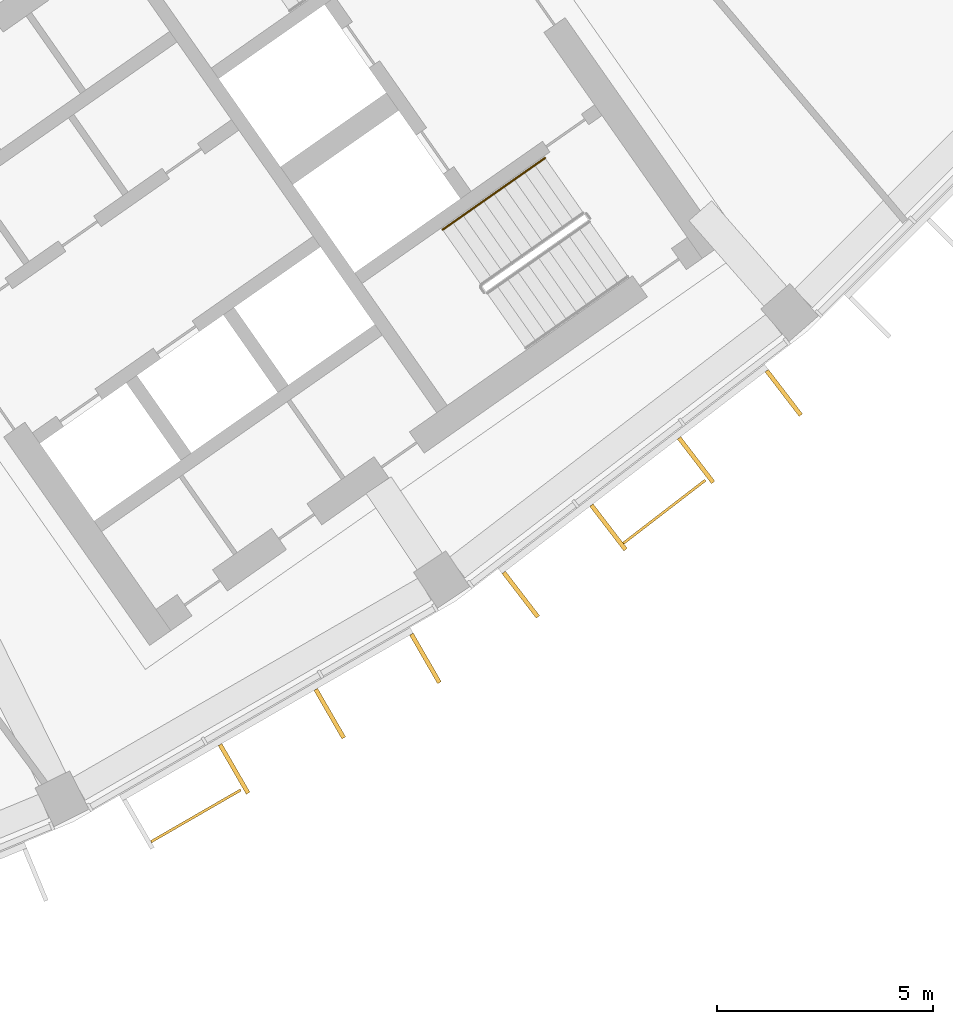
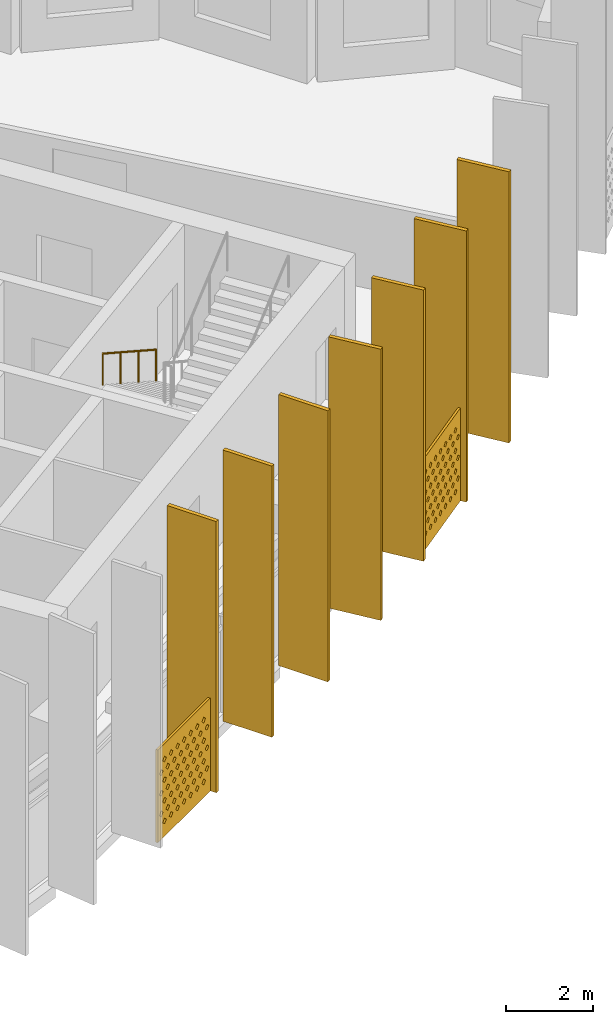
# One storey, part 27 of 28: 9 shading devices, 1 railing.
"""IFC4 building model written with IfcOpenShell, lengths in metres."""

from ifc_helpers import new_model, si_unit, direction, frame, origin, origin_2d, place, context, subcontext, project, spatial, polyline, rectangle, circle, outline, extrude, material, material_profile, profile_set, type_object, element, save


model = new_model("IFC4")

# Units and contexts
model_context = context("Model", 3, precision=1e-05, world=origin(), true_north=direction((0.0, 1.0)))
body_context = subcontext(model_context, "Body", "Model", "MODEL_VIEW")
ifc_project = project(units=[si_unit("LENGTHUNIT", "METRE"), si_unit("AREAUNIT", "SQUARE_METRE"), si_unit("VOLUMEUNIT", "CUBIC_METRE"), si_unit("PLANEANGLEUNIT", "RADIAN"), si_unit("MASSUNIT", "GRAM", prefix="KILO")], contexts=[model_context])

# Site, building, storey
site_placement = place(None, origin())
site = spatial("IfcSite", under=ifc_project, at=site_placement, CompositionType="ELEMENT")
building_placement = place(site_placement, origin())
building = spatial("IfcBuilding", under=site, at=building_placement, Name="Qamariyya Broadcast Tower", CompositionType="ELEMENT")
storey_placement = place(building_placement, frame((0.0, 0.0, 265.699951171875)))
storey = spatial("IfcBuildingStorey", under=building, at=storey_placement, Name="L64", CompositionType="ELEMENT", Elevation=265.699951171875)

# Shading devices
ifc_material_1 = material(Name="Perforated glazed terracotta", Category="masonry")
ifc_material_profile_1 = material_profile(ifc_material_1, outline(polyline([(-1.199951171875, -1.300048828125), (1.199951171875, -1.300048828125), (1.199951171875, 1.300048828125), (-1.199951171875, 1.300048828125), (-1.199951171875, -1.300048828125)]), holes=[polyline([(-0.81494140625, -0.86669921875), (-0.89990234375, -0.78173828125), (-0.985107421875, -0.86669921875), (-0.89990234375, -0.95166015625), (-0.81494140625, -0.86669921875)]), polyline([(-0.514892578125, -0.86669921875), (-0.60009765625, -0.78173828125), (-0.68505859375, -0.86669921875), (-0.60009765625, -0.95166015625), (-0.514892578125, -0.86669921875)]), polyline([(-0.215087890625, -0.86669921875), (-0.300048828125, -0.78173828125), (-0.385009765625, -0.86669921875), (-0.300048828125, -0.95166015625), (-0.215087890625, -0.86669921875)]), polyline([(0.0849609375, -0.86669921875), (0.0, -0.78173828125), (-0.0849609375, -0.86669921875), (0.0, -0.95166015625), (0.0849609375, -0.86669921875)]), polyline([(0.385009765625, -0.86669921875), (0.300048828125, -0.78173828125), (0.215087890625, -0.86669921875), (0.300048828125, -0.95166015625), (0.385009765625, -0.86669921875)]), polyline([(0.68505859375, -0.86669921875), (0.60009765625, -0.78173828125), (0.514892578125, -0.86669921875), (0.60009765625, -0.95166015625), (0.68505859375, -0.86669921875)]), polyline([(0.985107421875, -0.86669921875), (0.89990234375, -0.78173828125), (0.81494140625, -0.86669921875), (0.89990234375, -0.95166015625), (0.985107421875, -0.86669921875)]), polyline([(-0.965087890625, -0.577880859375), (-1.050048828125, -0.49267578125), (-1.135009765625, -0.577880859375), (-1.050048828125, -0.662841796875), (-0.965087890625, -0.577880859375)]), polyline([(-0.6650390625, -0.577880859375), (-0.75, -0.49267578125), (-0.8349609375, -0.577880859375), (-0.75, -0.662841796875), (-0.6650390625, -0.577880859375)]), polyline([(-0.364990234375, -0.577880859375), (-0.449951171875, -0.49267578125), (-0.534912109375, -0.577880859375), (-0.449951171875, -0.662841796875), (-0.364990234375, -0.577880859375)]), polyline([(-0.06494140625, -0.577880859375), (-0.14990234375, -0.49267578125), (-0.235107421875, -0.577880859375), (-0.14990234375, -0.662841796875), (-0.06494140625, -0.577880859375)]), polyline([(0.235107421875, -0.577880859375), (0.14990234375, -0.49267578125), (0.06494140625, -0.577880859375), (0.14990234375, -0.662841796875), (0.235107421875, -0.577880859375)]), polyline([(0.534912109375, -0.577880859375), (0.449951171875, -0.49267578125), (0.364990234375, -0.577880859375), (0.449951171875, -0.662841796875), (0.534912109375, -0.577880859375)]), polyline([(0.8349609375, -0.577880859375), (0.75, -0.49267578125), (0.6650390625, -0.577880859375), (0.75, -0.662841796875), (0.8349609375, -0.577880859375)]), polyline([(1.135009765625, -0.577880859375), (1.050048828125, -0.49267578125), (0.965087890625, -0.577880859375), (1.050048828125, -0.662841796875), (1.135009765625, -0.577880859375)]), polyline([(-0.81494140625, -0.288818359375), (-0.89990234375, -0.203857421875), (-0.985107421875, -0.288818359375), (-0.89990234375, -0.373779296875), (-0.81494140625, -0.288818359375)]), polyline([(-0.514892578125, -0.288818359375), (-0.60009765625, -0.203857421875), (-0.68505859375, -0.288818359375), (-0.60009765625, -0.373779296875), (-0.514892578125, -0.288818359375)]), polyline([(-0.215087890625, -0.288818359375), (-0.300048828125, -0.203857421875), (-0.385009765625, -0.288818359375), (-0.300048828125, -0.373779296875), (-0.215087890625, -0.288818359375)]), polyline([(0.0849609375, -0.288818359375), (0.0, -0.203857421875), (-0.0849609375, -0.288818359375), (0.0, -0.373779296875), (0.0849609375, -0.288818359375)]), polyline([(0.385009765625, -0.288818359375), (0.300048828125, -0.203857421875), (0.215087890625, -0.288818359375), (0.300048828125, -0.373779296875), (0.385009765625, -0.288818359375)]), polyline([(0.68505859375, -0.288818359375), (0.60009765625, -0.203857421875), (0.514892578125, -0.288818359375), (0.60009765625, -0.373779296875), (0.68505859375, -0.288818359375)]), polyline([(0.985107421875, -0.288818359375), (0.89990234375, -0.203857421875), (0.81494140625, -0.288818359375), (0.89990234375, -0.373779296875), (0.985107421875, -0.288818359375)]), polyline([(-0.965087890625, 0.0), (-1.050048828125, 0.0849609375), (-1.135009765625, 0.0), (-1.050048828125, -0.0849609375), (-0.965087890625, 0.0)]), polyline([(-0.6650390625, 0.0), (-0.75, 0.0849609375), (-0.8349609375, 0.0), (-0.75, -0.0849609375), (-0.6650390625, 0.0)]), polyline([(-0.364990234375, 0.0), (-0.449951171875, 0.0849609375), (-0.534912109375, 0.0), (-0.449951171875, -0.0849609375), (-0.364990234375, 0.0)]), polyline([(-0.06494140625, 0.0), (-0.14990234375, 0.0849609375), (-0.235107421875, 0.0), (-0.14990234375, -0.0849609375), (-0.06494140625, 0.0)]), polyline([(0.235107421875, 0.0), (0.14990234375, 0.0849609375), (0.06494140625, 0.0), (0.14990234375, -0.0849609375), (0.235107421875, 0.0)]), polyline([(0.534912109375, 0.0), (0.449951171875, 0.0849609375), (0.364990234375, 0.0), (0.449951171875, -0.0849609375), (0.534912109375, 0.0)]), polyline([(0.8349609375, 0.0), (0.75, 0.0849609375), (0.6650390625, 0.0), (0.75, -0.0849609375), (0.8349609375, 0.0)]), polyline([(1.135009765625, 0.0), (1.050048828125, 0.0849609375), (0.965087890625, 0.0), (1.050048828125, -0.0849609375), (1.135009765625, 0.0)]), polyline([(-0.81494140625, 0.288818359375), (-0.89990234375, 0.373779296875), (-0.985107421875, 0.288818359375), (-0.89990234375, 0.203857421875), (-0.81494140625, 0.288818359375)]), polyline([(-0.514892578125, 0.288818359375), (-0.60009765625, 0.373779296875), (-0.68505859375, 0.288818359375), (-0.60009765625, 0.203857421875), (-0.514892578125, 0.288818359375)]), polyline([(-0.215087890625, 0.288818359375), (-0.300048828125, 0.373779296875), (-0.385009765625, 0.288818359375), (-0.300048828125, 0.203857421875), (-0.215087890625, 0.288818359375)]), polyline([(0.0849609375, 0.288818359375), (0.0, 0.373779296875), (-0.0849609375, 0.288818359375), (0.0, 0.203857421875), (0.0849609375, 0.288818359375)]), polyline([(0.385009765625, 0.288818359375), (0.300048828125, 0.373779296875), (0.215087890625, 0.288818359375), (0.300048828125, 0.203857421875), (0.385009765625, 0.288818359375)]), polyline([(0.68505859375, 0.288818359375), (0.60009765625, 0.373779296875), (0.514892578125, 0.288818359375), (0.60009765625, 0.203857421875), (0.68505859375, 0.288818359375)]), polyline([(0.985107421875, 0.288818359375), (0.89990234375, 0.373779296875), (0.81494140625, 0.288818359375), (0.89990234375, 0.203857421875), (0.985107421875, 0.288818359375)]), polyline([(-0.965087890625, 0.577880859375), (-1.050048828125, 0.662841796875), (-1.135009765625, 0.577880859375), (-1.050048828125, 0.49267578125), (-0.965087890625, 0.577880859375)]), polyline([(-0.6650390625, 0.577880859375), (-0.75, 0.662841796875), (-0.8349609375, 0.577880859375), (-0.75, 0.49267578125), (-0.6650390625, 0.577880859375)]), polyline([(-0.364990234375, 0.577880859375), (-0.449951171875, 0.662841796875), (-0.534912109375, 0.577880859375), (-0.449951171875, 0.49267578125), (-0.364990234375, 0.577880859375)]), polyline([(-0.06494140625, 0.577880859375), (-0.14990234375, 0.662841796875), (-0.235107421875, 0.577880859375), (-0.14990234375, 0.49267578125), (-0.06494140625, 0.577880859375)]), polyline([(0.235107421875, 0.577880859375), (0.14990234375, 0.662841796875), (0.06494140625, 0.577880859375), (0.14990234375, 0.49267578125), (0.235107421875, 0.577880859375)]), polyline([(0.534912109375, 0.577880859375), (0.449951171875, 0.662841796875), (0.364990234375, 0.577880859375), (0.449951171875, 0.49267578125), (0.534912109375, 0.577880859375)]), polyline([(0.8349609375, 0.577880859375), (0.75, 0.662841796875), (0.6650390625, 0.577880859375), (0.75, 0.49267578125), (0.8349609375, 0.577880859375)]), polyline([(1.135009765625, 0.577880859375), (1.050048828125, 0.662841796875), (0.965087890625, 0.577880859375), (1.050048828125, 0.49267578125), (1.135009765625, 0.577880859375)]), polyline([(-0.81494140625, 0.86669921875), (-0.89990234375, 0.95166015625), (-0.985107421875, 0.86669921875), (-0.89990234375, 0.78173828125), (-0.81494140625, 0.86669921875)]), polyline([(-0.514892578125, 0.86669921875), (-0.60009765625, 0.95166015625), (-0.68505859375, 0.86669921875), (-0.60009765625, 0.78173828125), (-0.514892578125, 0.86669921875)]), polyline([(-0.215087890625, 0.86669921875), (-0.300048828125, 0.95166015625), (-0.385009765625, 0.86669921875), (-0.300048828125, 0.78173828125), (-0.215087890625, 0.86669921875)]), polyline([(0.0849609375, 0.86669921875), (0.0, 0.95166015625), (-0.0849609375, 0.86669921875), (0.0, 0.78173828125), (0.0849609375, 0.86669921875)]), polyline([(0.385009765625, 0.86669921875), (0.300048828125, 0.95166015625), (0.215087890625, 0.86669921875), (0.300048828125, 0.78173828125), (0.385009765625, 0.86669921875)]), polyline([(0.68505859375, 0.86669921875), (0.60009765625, 0.95166015625), (0.514892578125, 0.86669921875), (0.60009765625, 0.78173828125), (0.68505859375, 0.86669921875)]), polyline([(0.985107421875, 0.86669921875), (0.89990234375, 0.95166015625), (0.81494140625, 0.86669921875), (0.89990234375, 0.78173828125), (0.985107421875, 0.86669921875)])]))
ifc_profile_set_1 = profile_set([ifc_material_profile_1], Name="Perforated glazed terracotta")
shading_device_type_1 = type_object("IfcShadingDeviceType", Name="Perforated terracotta screen 2400 x 2600", PredefinedType="USERDEFINED", material=ifc_profile_set_1)
shading_device_1_placement = place(storey_placement, frame((37.480224609375, -70.104248046875, 1.35009765625), z_axis=(0.500074377092, -0.865982457891, 0.0), x_axis=(0.865982457891, 0.500074377092, 0.0)))
element("IfcShadingDevice", 1, at=shading_device_1_placement, inside=storey, type_object=shading_device_type_1, Name="e-scr-L64-11-0", ObjectType="SCREEN", PredefinedType="USERDEFINED", context=body_context, shape_type="SweptSolid", body=[
    extrude(outline(polyline([(-1.199951171875, -1.300048828125), (1.199951171875, -1.300048828125), (1.199951171875, 1.300048828125), (-1.199951171875, 1.300048828125), (-1.199951171875, -1.300048828125)]), holes=[polyline([(-0.81494140625, -0.86669921875), (-0.89990234375, -0.78173828125), (-0.985107421875, -0.86669921875), (-0.89990234375, -0.95166015625), (-0.81494140625, -0.86669921875)]), polyline([(-0.514892578125, -0.86669921875), (-0.60009765625, -0.78173828125), (-0.68505859375, -0.86669921875), (-0.60009765625, -0.95166015625), (-0.514892578125, -0.86669921875)]), polyline([(-0.215087890625, -0.86669921875), (-0.300048828125, -0.78173828125), (-0.385009765625, -0.86669921875), (-0.300048828125, -0.95166015625), (-0.215087890625, -0.86669921875)]), polyline([(0.0849609375, -0.86669921875), (0.0, -0.78173828125), (-0.0849609375, -0.86669921875), (0.0, -0.95166015625), (0.0849609375, -0.86669921875)]), polyline([(0.385009765625, -0.86669921875), (0.300048828125, -0.78173828125), (0.215087890625, -0.86669921875), (0.300048828125, -0.95166015625), (0.385009765625, -0.86669921875)]), polyline([(0.68505859375, -0.86669921875), (0.60009765625, -0.78173828125), (0.514892578125, -0.86669921875), (0.60009765625, -0.95166015625), (0.68505859375, -0.86669921875)]), polyline([(0.985107421875, -0.86669921875), (0.89990234375, -0.78173828125), (0.81494140625, -0.86669921875), (0.89990234375, -0.95166015625), (0.985107421875, -0.86669921875)]), polyline([(-0.965087890625, -0.577880859375), (-1.050048828125, -0.49267578125), (-1.135009765625, -0.577880859375), (-1.050048828125, -0.662841796875), (-0.965087890625, -0.577880859375)]), polyline([(-0.6650390625, -0.577880859375), (-0.75, -0.49267578125), (-0.8349609375, -0.577880859375), (-0.75, -0.662841796875), (-0.6650390625, -0.577880859375)]), polyline([(-0.364990234375, -0.577880859375), (-0.449951171875, -0.49267578125), (-0.534912109375, -0.577880859375), (-0.449951171875, -0.662841796875), (-0.364990234375, -0.577880859375)]), polyline([(-0.06494140625, -0.577880859375), (-0.14990234375, -0.49267578125), (-0.235107421875, -0.577880859375), (-0.14990234375, -0.662841796875), (-0.06494140625, -0.577880859375)]), polyline([(0.235107421875, -0.577880859375), (0.14990234375, -0.49267578125), (0.06494140625, -0.577880859375), (0.14990234375, -0.662841796875), (0.235107421875, -0.577880859375)]), polyline([(0.534912109375, -0.577880859375), (0.449951171875, -0.49267578125), (0.364990234375, -0.577880859375), (0.449951171875, -0.662841796875), (0.534912109375, -0.577880859375)]), polyline([(0.8349609375, -0.577880859375), (0.75, -0.49267578125), (0.6650390625, -0.577880859375), (0.75, -0.662841796875), (0.8349609375, -0.577880859375)]), polyline([(1.135009765625, -0.577880859375), (1.050048828125, -0.49267578125), (0.965087890625, -0.577880859375), (1.050048828125, -0.662841796875), (1.135009765625, -0.577880859375)]), polyline([(-0.81494140625, -0.288818359375), (-0.89990234375, -0.203857421875), (-0.985107421875, -0.288818359375), (-0.89990234375, -0.373779296875), (-0.81494140625, -0.288818359375)]), polyline([(-0.514892578125, -0.288818359375), (-0.60009765625, -0.203857421875), (-0.68505859375, -0.288818359375), (-0.60009765625, -0.373779296875), (-0.514892578125, -0.288818359375)]), polyline([(-0.215087890625, -0.288818359375), (-0.300048828125, -0.203857421875), (-0.385009765625, -0.288818359375), (-0.300048828125, -0.373779296875), (-0.215087890625, -0.288818359375)]), polyline([(0.0849609375, -0.288818359375), (0.0, -0.203857421875), (-0.0849609375, -0.288818359375), (0.0, -0.373779296875), (0.0849609375, -0.288818359375)]), polyline([(0.385009765625, -0.288818359375), (0.300048828125, -0.203857421875), (0.215087890625, -0.288818359375), (0.300048828125, -0.373779296875), (0.385009765625, -0.288818359375)]), polyline([(0.68505859375, -0.288818359375), (0.60009765625, -0.203857421875), (0.514892578125, -0.288818359375), (0.60009765625, -0.373779296875), (0.68505859375, -0.288818359375)]), polyline([(0.985107421875, -0.288818359375), (0.89990234375, -0.203857421875), (0.81494140625, -0.288818359375), (0.89990234375, -0.373779296875), (0.985107421875, -0.288818359375)]), polyline([(-0.965087890625, 0.0), (-1.050048828125, 0.0849609375), (-1.135009765625, 0.0), (-1.050048828125, -0.0849609375), (-0.965087890625, 0.0)]), polyline([(-0.6650390625, 0.0), (-0.75, 0.0849609375), (-0.8349609375, 0.0), (-0.75, -0.0849609375), (-0.6650390625, 0.0)]), polyline([(-0.364990234375, 0.0), (-0.449951171875, 0.0849609375), (-0.534912109375, 0.0), (-0.449951171875, -0.0849609375), (-0.364990234375, 0.0)]), polyline([(-0.06494140625, 0.0), (-0.14990234375, 0.0849609375), (-0.235107421875, 0.0), (-0.14990234375, -0.0849609375), (-0.06494140625, 0.0)]), polyline([(0.235107421875, 0.0), (0.14990234375, 0.0849609375), (0.06494140625, 0.0), (0.14990234375, -0.0849609375), (0.235107421875, 0.0)]), polyline([(0.534912109375, 0.0), (0.449951171875, 0.0849609375), (0.364990234375, 0.0), (0.449951171875, -0.0849609375), (0.534912109375, 0.0)]), polyline([(0.8349609375, 0.0), (0.75, 0.0849609375), (0.6650390625, 0.0), (0.75, -0.0849609375), (0.8349609375, 0.0)]), polyline([(1.135009765625, 0.0), (1.050048828125, 0.0849609375), (0.965087890625, 0.0), (1.050048828125, -0.0849609375), (1.135009765625, 0.0)]), polyline([(-0.81494140625, 0.288818359375), (-0.89990234375, 0.373779296875), (-0.985107421875, 0.288818359375), (-0.89990234375, 0.203857421875), (-0.81494140625, 0.288818359375)]), polyline([(-0.514892578125, 0.288818359375), (-0.60009765625, 0.373779296875), (-0.68505859375, 0.288818359375), (-0.60009765625, 0.203857421875), (-0.514892578125, 0.288818359375)]), polyline([(-0.215087890625, 0.288818359375), (-0.300048828125, 0.373779296875), (-0.385009765625, 0.288818359375), (-0.300048828125, 0.203857421875), (-0.215087890625, 0.288818359375)]), polyline([(0.0849609375, 0.288818359375), (0.0, 0.373779296875), (-0.0849609375, 0.288818359375), (0.0, 0.203857421875), (0.0849609375, 0.288818359375)]), polyline([(0.385009765625, 0.288818359375), (0.300048828125, 0.373779296875), (0.215087890625, 0.288818359375), (0.300048828125, 0.203857421875), (0.385009765625, 0.288818359375)]), polyline([(0.68505859375, 0.288818359375), (0.60009765625, 0.373779296875), (0.514892578125, 0.288818359375), (0.60009765625, 0.203857421875), (0.68505859375, 0.288818359375)]), polyline([(0.985107421875, 0.288818359375), (0.89990234375, 0.373779296875), (0.81494140625, 0.288818359375), (0.89990234375, 0.203857421875), (0.985107421875, 0.288818359375)]), polyline([(-0.965087890625, 0.577880859375), (-1.050048828125, 0.662841796875), (-1.135009765625, 0.577880859375), (-1.050048828125, 0.49267578125), (-0.965087890625, 0.577880859375)]), polyline([(-0.6650390625, 0.577880859375), (-0.75, 0.662841796875), (-0.8349609375, 0.577880859375), (-0.75, 0.49267578125), (-0.6650390625, 0.577880859375)]), polyline([(-0.364990234375, 0.577880859375), (-0.449951171875, 0.662841796875), (-0.534912109375, 0.577880859375), (-0.449951171875, 0.49267578125), (-0.364990234375, 0.577880859375)]), polyline([(-0.06494140625, 0.577880859375), (-0.14990234375, 0.662841796875), (-0.235107421875, 0.577880859375), (-0.14990234375, 0.49267578125), (-0.06494140625, 0.577880859375)]), polyline([(0.235107421875, 0.577880859375), (0.14990234375, 0.662841796875), (0.06494140625, 0.577880859375), (0.14990234375, 0.49267578125), (0.235107421875, 0.577880859375)]), polyline([(0.534912109375, 0.577880859375), (0.449951171875, 0.662841796875), (0.364990234375, 0.577880859375), (0.449951171875, 0.49267578125), (0.534912109375, 0.577880859375)]), polyline([(0.8349609375, 0.577880859375), (0.75, 0.662841796875), (0.6650390625, 0.577880859375), (0.75, 0.49267578125), (0.8349609375, 0.577880859375)]), polyline([(1.135009765625, 0.577880859375), (1.050048828125, 0.662841796875), (0.965087890625, 0.577880859375), (1.050048828125, 0.49267578125), (1.135009765625, 0.577880859375)]), polyline([(-0.81494140625, 0.86669921875), (-0.89990234375, 0.95166015625), (-0.985107421875, 0.86669921875), (-0.89990234375, 0.78173828125), (-0.81494140625, 0.86669921875)]), polyline([(-0.514892578125, 0.86669921875), (-0.60009765625, 0.95166015625), (-0.68505859375, 0.86669921875), (-0.60009765625, 0.78173828125), (-0.514892578125, 0.86669921875)]), polyline([(-0.215087890625, 0.86669921875), (-0.300048828125, 0.95166015625), (-0.385009765625, 0.86669921875), (-0.300048828125, 0.78173828125), (-0.215087890625, 0.86669921875)]), polyline([(0.0849609375, 0.86669921875), (0.0, 0.95166015625), (-0.0849609375, 0.86669921875), (0.0, 0.78173828125), (0.0849609375, 0.86669921875)]), polyline([(0.385009765625, 0.86669921875), (0.300048828125, 0.95166015625), (0.215087890625, 0.86669921875), (0.300048828125, 0.78173828125), (0.385009765625, 0.86669921875)]), polyline([(0.68505859375, 0.86669921875), (0.60009765625, 0.95166015625), (0.514892578125, 0.86669921875), (0.60009765625, 0.78173828125), (0.68505859375, 0.86669921875)]), polyline([(0.985107421875, 0.86669921875), (0.89990234375, 0.95166015625), (0.81494140625, 0.86669921875), (0.89990234375, 0.78173828125), (0.985107421875, 0.86669921875)])]), origin(), (0.0, 0.0, 1.0), 0.06005859375),
])
shading_device_2_placement = place(storey_placement, frame((48.3427734375, -63.052734375, 1.35009765625), z_axis=(0.60971076085, -0.792623989105, 0.0), x_axis=(0.792623989105, 0.60971076085, 0.0)))
element("IfcShadingDevice", 2, at=shading_device_2_placement, inside=storey, type_object=shading_device_type_1, Name="e-scr-L64-12-1", ObjectType="SCREEN", PredefinedType="USERDEFINED", context=body_context, shape_type="SweptSolid", body=[
    extrude(outline(polyline([(-1.199951171875, -1.300048828125), (1.199951171875, -1.300048828125), (1.199951171875, 1.300048828125), (-1.199951171875, 1.300048828125), (-1.199951171875, -1.300048828125)]), holes=[polyline([(-0.81494140625, -0.86669921875), (-0.89990234375, -0.78173828125), (-0.985107421875, -0.86669921875), (-0.89990234375, -0.95166015625), (-0.81494140625, -0.86669921875)]), polyline([(-0.514892578125, -0.86669921875), (-0.60009765625, -0.78173828125), (-0.68505859375, -0.86669921875), (-0.60009765625, -0.95166015625), (-0.514892578125, -0.86669921875)]), polyline([(-0.215087890625, -0.86669921875), (-0.300048828125, -0.78173828125), (-0.385009765625, -0.86669921875), (-0.300048828125, -0.95166015625), (-0.215087890625, -0.86669921875)]), polyline([(0.0849609375, -0.86669921875), (0.0, -0.78173828125), (-0.0849609375, -0.86669921875), (0.0, -0.95166015625), (0.0849609375, -0.86669921875)]), polyline([(0.385009765625, -0.86669921875), (0.300048828125, -0.78173828125), (0.215087890625, -0.86669921875), (0.300048828125, -0.95166015625), (0.385009765625, -0.86669921875)]), polyline([(0.68505859375, -0.86669921875), (0.60009765625, -0.78173828125), (0.514892578125, -0.86669921875), (0.60009765625, -0.95166015625), (0.68505859375, -0.86669921875)]), polyline([(0.985107421875, -0.86669921875), (0.89990234375, -0.78173828125), (0.81494140625, -0.86669921875), (0.89990234375, -0.95166015625), (0.985107421875, -0.86669921875)]), polyline([(-0.965087890625, -0.577880859375), (-1.050048828125, -0.49267578125), (-1.135009765625, -0.577880859375), (-1.050048828125, -0.662841796875), (-0.965087890625, -0.577880859375)]), polyline([(-0.6650390625, -0.577880859375), (-0.75, -0.49267578125), (-0.8349609375, -0.577880859375), (-0.75, -0.662841796875), (-0.6650390625, -0.577880859375)]), polyline([(-0.364990234375, -0.577880859375), (-0.449951171875, -0.49267578125), (-0.534912109375, -0.577880859375), (-0.449951171875, -0.662841796875), (-0.364990234375, -0.577880859375)]), polyline([(-0.06494140625, -0.577880859375), (-0.14990234375, -0.49267578125), (-0.235107421875, -0.577880859375), (-0.14990234375, -0.662841796875), (-0.06494140625, -0.577880859375)]), polyline([(0.235107421875, -0.577880859375), (0.14990234375, -0.49267578125), (0.06494140625, -0.577880859375), (0.14990234375, -0.662841796875), (0.235107421875, -0.577880859375)]), polyline([(0.534912109375, -0.577880859375), (0.449951171875, -0.49267578125), (0.364990234375, -0.577880859375), (0.449951171875, -0.662841796875), (0.534912109375, -0.577880859375)]), polyline([(0.8349609375, -0.577880859375), (0.75, -0.49267578125), (0.6650390625, -0.577880859375), (0.75, -0.662841796875), (0.8349609375, -0.577880859375)]), polyline([(1.135009765625, -0.577880859375), (1.050048828125, -0.49267578125), (0.965087890625, -0.577880859375), (1.050048828125, -0.662841796875), (1.135009765625, -0.577880859375)]), polyline([(-0.81494140625, -0.288818359375), (-0.89990234375, -0.203857421875), (-0.985107421875, -0.288818359375), (-0.89990234375, -0.373779296875), (-0.81494140625, -0.288818359375)]), polyline([(-0.514892578125, -0.288818359375), (-0.60009765625, -0.203857421875), (-0.68505859375, -0.288818359375), (-0.60009765625, -0.373779296875), (-0.514892578125, -0.288818359375)]), polyline([(-0.215087890625, -0.288818359375), (-0.300048828125, -0.203857421875), (-0.385009765625, -0.288818359375), (-0.300048828125, -0.373779296875), (-0.215087890625, -0.288818359375)]), polyline([(0.0849609375, -0.288818359375), (0.0, -0.203857421875), (-0.0849609375, -0.288818359375), (0.0, -0.373779296875), (0.0849609375, -0.288818359375)]), polyline([(0.385009765625, -0.288818359375), (0.300048828125, -0.203857421875), (0.215087890625, -0.288818359375), (0.300048828125, -0.373779296875), (0.385009765625, -0.288818359375)]), polyline([(0.68505859375, -0.288818359375), (0.60009765625, -0.203857421875), (0.514892578125, -0.288818359375), (0.60009765625, -0.373779296875), (0.68505859375, -0.288818359375)]), polyline([(0.985107421875, -0.288818359375), (0.89990234375, -0.203857421875), (0.81494140625, -0.288818359375), (0.89990234375, -0.373779296875), (0.985107421875, -0.288818359375)]), polyline([(-0.965087890625, 0.0), (-1.050048828125, 0.0849609375), (-1.135009765625, 0.0), (-1.050048828125, -0.0849609375), (-0.965087890625, 0.0)]), polyline([(-0.6650390625, 0.0), (-0.75, 0.0849609375), (-0.8349609375, 0.0), (-0.75, -0.0849609375), (-0.6650390625, 0.0)]), polyline([(-0.364990234375, 0.0), (-0.449951171875, 0.0849609375), (-0.534912109375, 0.0), (-0.449951171875, -0.0849609375), (-0.364990234375, 0.0)]), polyline([(-0.06494140625, 0.0), (-0.14990234375, 0.0849609375), (-0.235107421875, 0.0), (-0.14990234375, -0.0849609375), (-0.06494140625, 0.0)]), polyline([(0.235107421875, 0.0), (0.14990234375, 0.0849609375), (0.06494140625, 0.0), (0.14990234375, -0.0849609375), (0.235107421875, 0.0)]), polyline([(0.534912109375, 0.0), (0.449951171875, 0.0849609375), (0.364990234375, 0.0), (0.449951171875, -0.0849609375), (0.534912109375, 0.0)]), polyline([(0.8349609375, 0.0), (0.75, 0.0849609375), (0.6650390625, 0.0), (0.75, -0.0849609375), (0.8349609375, 0.0)]), polyline([(1.135009765625, 0.0), (1.050048828125, 0.0849609375), (0.965087890625, 0.0), (1.050048828125, -0.0849609375), (1.135009765625, 0.0)]), polyline([(-0.81494140625, 0.288818359375), (-0.89990234375, 0.373779296875), (-0.985107421875, 0.288818359375), (-0.89990234375, 0.203857421875), (-0.81494140625, 0.288818359375)]), polyline([(-0.514892578125, 0.288818359375), (-0.60009765625, 0.373779296875), (-0.68505859375, 0.288818359375), (-0.60009765625, 0.203857421875), (-0.514892578125, 0.288818359375)]), polyline([(-0.215087890625, 0.288818359375), (-0.300048828125, 0.373779296875), (-0.385009765625, 0.288818359375), (-0.300048828125, 0.203857421875), (-0.215087890625, 0.288818359375)]), polyline([(0.0849609375, 0.288818359375), (0.0, 0.373779296875), (-0.0849609375, 0.288818359375), (0.0, 0.203857421875), (0.0849609375, 0.288818359375)]), polyline([(0.385009765625, 0.288818359375), (0.300048828125, 0.373779296875), (0.215087890625, 0.288818359375), (0.300048828125, 0.203857421875), (0.385009765625, 0.288818359375)]), polyline([(0.68505859375, 0.288818359375), (0.60009765625, 0.373779296875), (0.514892578125, 0.288818359375), (0.60009765625, 0.203857421875), (0.68505859375, 0.288818359375)]), polyline([(0.985107421875, 0.288818359375), (0.89990234375, 0.373779296875), (0.81494140625, 0.288818359375), (0.89990234375, 0.203857421875), (0.985107421875, 0.288818359375)]), polyline([(-0.965087890625, 0.577880859375), (-1.050048828125, 0.662841796875), (-1.135009765625, 0.577880859375), (-1.050048828125, 0.49267578125), (-0.965087890625, 0.577880859375)]), polyline([(-0.6650390625, 0.577880859375), (-0.75, 0.662841796875), (-0.8349609375, 0.577880859375), (-0.75, 0.49267578125), (-0.6650390625, 0.577880859375)]), polyline([(-0.364990234375, 0.577880859375), (-0.449951171875, 0.662841796875), (-0.534912109375, 0.577880859375), (-0.449951171875, 0.49267578125), (-0.364990234375, 0.577880859375)]), polyline([(-0.06494140625, 0.577880859375), (-0.14990234375, 0.662841796875), (-0.235107421875, 0.577880859375), (-0.14990234375, 0.49267578125), (-0.06494140625, 0.577880859375)]), polyline([(0.235107421875, 0.577880859375), (0.14990234375, 0.662841796875), (0.06494140625, 0.577880859375), (0.14990234375, 0.49267578125), (0.235107421875, 0.577880859375)]), polyline([(0.534912109375, 0.577880859375), (0.449951171875, 0.662841796875), (0.364990234375, 0.577880859375), (0.449951171875, 0.49267578125), (0.534912109375, 0.577880859375)]), polyline([(0.8349609375, 0.577880859375), (0.75, 0.662841796875), (0.6650390625, 0.577880859375), (0.75, 0.49267578125), (0.8349609375, 0.577880859375)]), polyline([(1.135009765625, 0.577880859375), (1.050048828125, 0.662841796875), (0.965087890625, 0.577880859375), (1.050048828125, 0.49267578125), (1.135009765625, 0.577880859375)]), polyline([(-0.81494140625, 0.86669921875), (-0.89990234375, 0.95166015625), (-0.985107421875, 0.86669921875), (-0.89990234375, 0.78173828125), (-0.81494140625, 0.86669921875)]), polyline([(-0.514892578125, 0.86669921875), (-0.60009765625, 0.95166015625), (-0.68505859375, 0.86669921875), (-0.60009765625, 0.78173828125), (-0.514892578125, 0.86669921875)]), polyline([(-0.215087890625, 0.86669921875), (-0.300048828125, 0.95166015625), (-0.385009765625, 0.86669921875), (-0.300048828125, 0.78173828125), (-0.215087890625, 0.86669921875)]), polyline([(0.0849609375, 0.86669921875), (0.0, 0.95166015625), (-0.0849609375, 0.86669921875), (0.0, 0.78173828125), (0.0849609375, 0.86669921875)]), polyline([(0.385009765625, 0.86669921875), (0.300048828125, 0.95166015625), (0.215087890625, 0.86669921875), (0.300048828125, 0.78173828125), (0.385009765625, 0.86669921875)]), polyline([(0.68505859375, 0.86669921875), (0.60009765625, 0.95166015625), (0.514892578125, 0.86669921875), (0.60009765625, 0.78173828125), (0.68505859375, 0.86669921875)]), polyline([(0.985107421875, 0.86669921875), (0.89990234375, 0.95166015625), (0.81494140625, 0.86669921875), (0.89990234375, 0.78173828125), (0.985107421875, 0.86669921875)])]), origin(), (0.0, 0.0, 1.0), 0.06005859375),
])

# Railing
ifc_material_2 = material(Name="Stainless steel", Category="steel")
railing_type = type_object("IfcRailingType", Name="Stair handrail", PredefinedType="HANDRAIL", material=ifc_material_2)
railing_placement = place(storey_placement, frame((45.591796875, -54.873291015625, 0.1728515625)))
element("IfcRailing", 3, at=railing_placement, inside=storey, type_object=railing_type, Name="L64 ST-E1 stair handrail 1", PredefinedType="HANDRAIL", context=body_context, shape_type="SweptSolid", body=[
    extrude(circle(Radius=0.02392578125, at=origin_2d()), frame((0.0, 0.0, 0.8759765625), z_axis=(-0.703770094002, -0.492783725636, 0.511734163933), x_axis=(0.573575343427, -0.819152809562, 0.0)), (0.0, 0.0, 1.0), 3.37548828125),
    extrude(circle(Radius=0.02099609375, at=origin_2d()), origin(), (0.0, 0.0, 1.0), 0.851806640625),
    extrude(circle(Radius=0.02099609375, at=origin_2d()), frame((-0.791748046875, -0.554443359375, 0.57568359375)), (0.0, 0.0, 1.0), 0.851806640625),
    extrude(circle(Radius=0.02099609375, at=origin_2d()), frame((-1.583740234375, -1.10888671875, 1.151611328125)), (0.0, 0.0, 1.0), 0.851806640625),
    extrude(circle(Radius=0.02099609375, at=origin_2d()), frame((-2.37548828125, -1.663330078125, 1.727294921875)), (0.0, 0.0, 1.0), 0.851806640625),
])

# Shading devices
ifc_material_3 = material(Name="Glazed terracotta", Category="masonry")
ifc_material_profile_2 = material_profile(ifc_material_3, rectangle(XDim=1.300048828125, YDim=0.10009765625, at=origin_2d()))
ifc_profile_set_2 = profile_set([ifc_material_profile_2], Name="Glazed terracotta")
shading_device_type_2 = type_object("IfcShadingDeviceType", Name="Terracotta fin 100 x 1300", PredefinedType="USERDEFINED", material=ifc_profile_set_2)
for number, where, z_axis, x_axis, name in (
    (4, (38.381591796875, -69.041259765625, 0.0), (0.0, 0.0, 1.0), (0.5, -0.866025403784, 0.0), "e-fin-L64-11-1"),
    (5, (40.6005859375, -67.760009765625, 0.0), (0.0, 0.0, 1.0), (0.5, -0.866025403784, 0.0), "e-fin-L64-11-2"),
    (6, (42.819580078125, -66.47900390625, 0.0), (0.0, 0.0, 1.0), (0.5, -0.866025403784, 0.0), "e-fin-L64-11-3"),
    (7, (45.0322265625, -65.00048828125, 0.0), (0.0, 0.0, 1.0), (0.608761429009, -0.793353340291, 0.0), "e-fin-L64-12-0"),
    (8, (47.06494140625, -63.440673828125, 0.0), (0.0, 0.0, 1.0), (0.608761429009, -0.793353340291, 0.0), "e-fin-L64-12-1"),
    (9, (49.09765625, -61.880859375, 0.0), (0.0, 0.0, 1.0), (0.608761429009, -0.793353340291, 0.0), "e-fin-L64-12-2"),
    (10, (51.13037109375, -60.3212890625, 0.0), (0.0, 0.0, 1.0), (0.608761429009, -0.793353340291, 0.0), "e-fin-L64-12-3"),
):
    element("IfcShadingDevice", number, at=place(storey_placement, frame(where, z_axis=z_axis, x_axis=x_axis)), inside=storey, type_object=shading_device_type_2, Name=name, ObjectType="FIN", PredefinedType="USERDEFINED", context=body_context, shape_type="SweptSolid", body=[
        extrude(rectangle(XDim=1.300048828125, YDim=0.10009765625, at=origin_2d()), origin(), (0.0, 0.0, 1.0), 7.60009765625),
    ])

save(model, "model.ifc")
